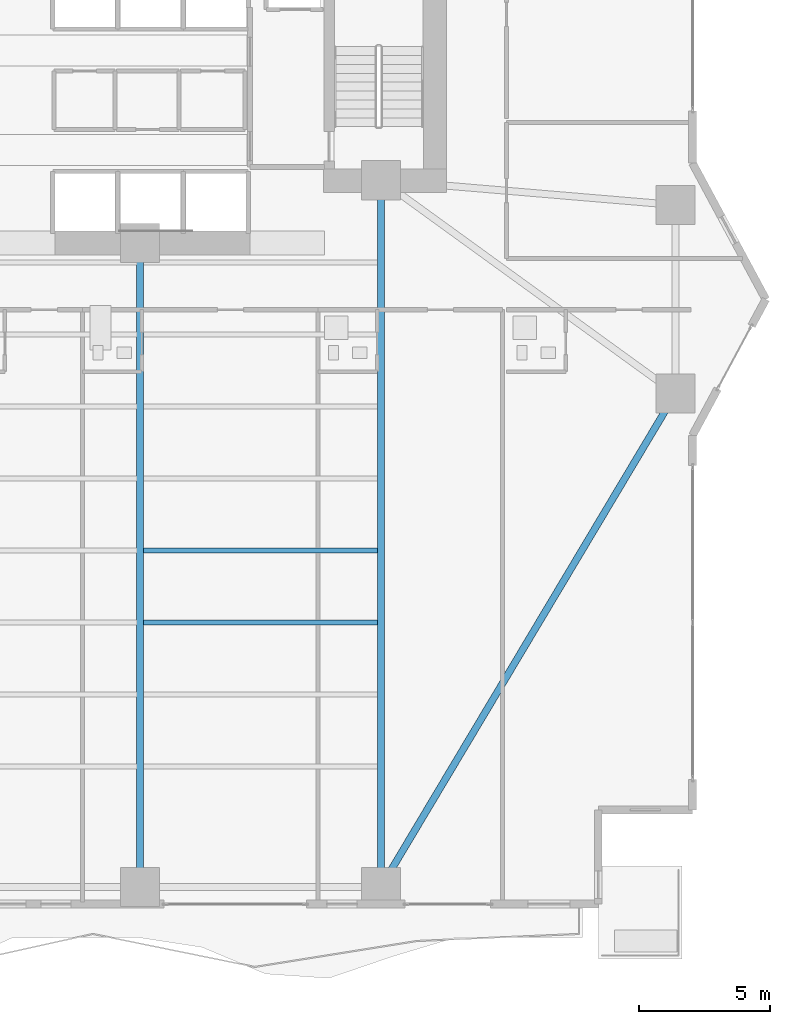
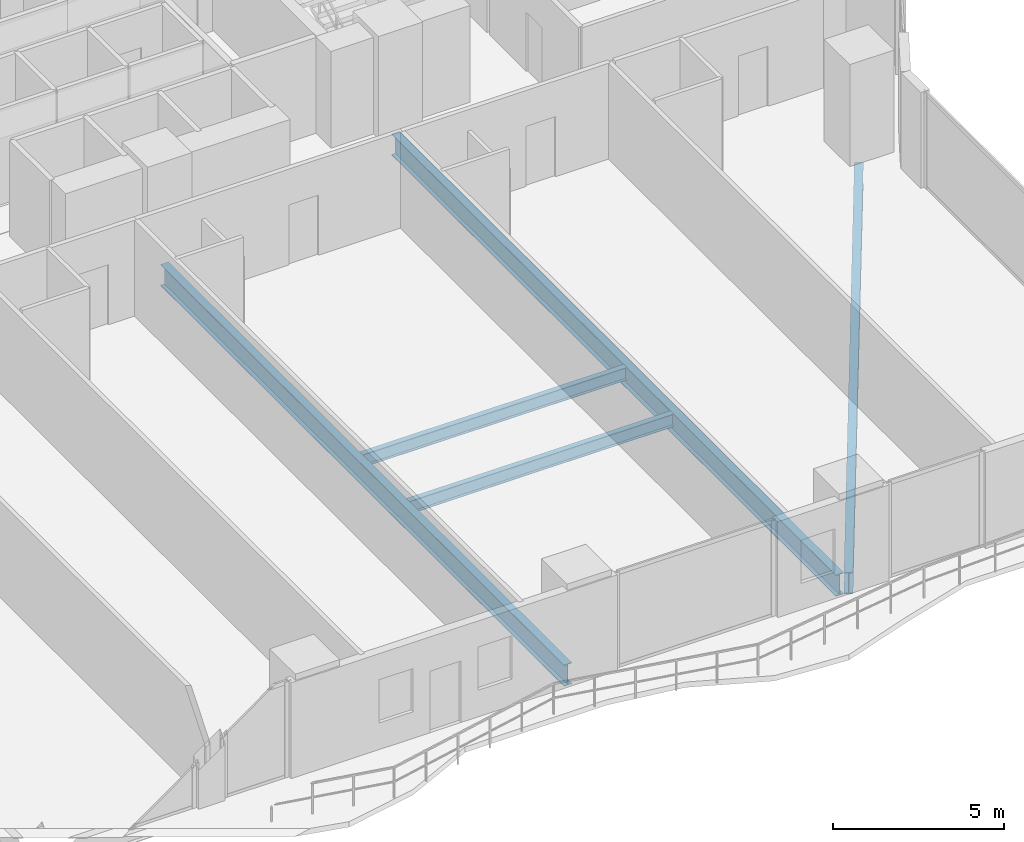
# One storey, part 9 of 29: 5 beams.
"""IFC4 building model written with IfcOpenShell, lengths in metres."""

from ifc_helpers import new_model, si_unit, direction, frame, origin, origin_2d, place, context, subcontext, project, spatial, i_section, extrude, material, material_profile, profile_set, type_object, element, save


model = new_model("IFC4")

# Units and contexts
model_context = context("Model", 3, precision=1e-05, world=origin(), true_north=direction((0.0, 1.0)))
body_context = subcontext(model_context, "Body", "Model", "MODEL_VIEW")
ifc_project = project(units=[si_unit("LENGTHUNIT", "METRE"), si_unit("AREAUNIT", "SQUARE_METRE"), si_unit("VOLUMEUNIT", "CUBIC_METRE"), si_unit("PLANEANGLEUNIT", "RADIAN"), si_unit("MASSUNIT", "GRAM", prefix="KILO")], contexts=[model_context])

# Site, building, storey
site_placement = place(None, origin())
site = spatial("IfcSite", under=ifc_project, at=site_placement, CompositionType="ELEMENT")
building_placement = place(site_placement, origin())
building = spatial("IfcBuilding", under=site, at=building_placement, Name="Zuhayl Quay Hotel", CompositionType="ELEMENT")
storey_placement = place(building_placement, frame((0.0, 0.0, 38.550048828125)))
storey = spatial("IfcBuildingStorey", under=building, at=storey_placement, Name="L08", CompositionType="ELEMENT", Elevation=38.550048828125)

# Beams
ifc_material = material(Name="Steel ASTM A992 Grade 50", Category="steel")
ifc_material_profile_1 = material_profile(ifc_material, i_section(OverallWidth=0.26708984375, OverallDepth=0.761962890625, WebThickness=0.014404296875, FlangeThickness=0.021484375, at=origin_2d()), Name="W30X116")
ifc_profile_set_1 = profile_set([ifc_material_profile_1], Name="Steel ASTM A992 Grade 50")
beam_type_1 = type_object("IfcBeamType", Name="BM_B1_W30X116", PredefinedType="BEAM", material=ifc_profile_set_1)
beam_1_placement = place(storey_placement, frame((14.05615234375, -22.020751953125, -0.60107421875), z_axis=(0.512482593247, 0.85869761361, 0.0), x_axis=(-0.85869761361, 0.512482593247, 0.0)))
element("IfcBeam", 1, at=beam_1_placement, inside=storey, type_object=beam_type_1, Name="L08 Floor Beam RG_L08_04", PredefinedType="BEAM", context=body_context, shape_type="SweptSolid", body=[
    extrude(i_section(OverallWidth=0.26708984375, OverallDepth=0.761962890625, WebThickness=0.014404296875, FlangeThickness=0.021484375, at=origin_2d()), origin(), (0.0, 0.0, 1.0), 20.9521484375),
])
beam_2_placement = place(storey_placement, frame((4.60009765625, -21.949951171875, -0.60107421875), z_axis=(0.0, 1.0, 0.0), x_axis=(-1.0, 0.0, 0.0)))
element("IfcBeam", 2, at=beam_2_placement, inside=storey, type_object=beam_type_1, Name="L08 Floor Beam FG_S_L08_3", PredefinedType="BEAM", context=body_context, shape_type="SweptSolid", body=[
    extrude(i_section(OverallWidth=0.26708984375, OverallDepth=0.761962890625, WebThickness=0.014404296875, FlangeThickness=0.021484375, at=origin_2d()), origin(), (0.0, 0.0, 1.0), 23.64990234375),
])
beam_3_placement = place(storey_placement, frame((13.800048828125, -21.949951171875, -0.60107421875), z_axis=(0.0, 1.0, 0.0), x_axis=(-1.0, 0.0, 0.0)))
element("IfcBeam", 3, at=beam_3_placement, inside=storey, type_object=beam_type_1, Name="L08 Floor Beam FG_S_L08_4", PredefinedType="BEAM", context=body_context, shape_type="SweptSolid", body=[
    extrude(i_section(OverallWidth=0.26708984375, OverallDepth=0.761962890625, WebThickness=0.014404296875, FlangeThickness=0.021484375, at=origin_2d()), origin(), (0.0, 0.0, 1.0), 26.050048828125),
])
ifc_material_profile_2 = material_profile(ifc_material, i_section(OverallWidth=0.18994140625, OverallDepth=0.45703125, WebThickness=0.009033203125, FlangeThickness=0.014404296875, at=origin_2d()), Name="W18X50")
ifc_profile_set_2 = profile_set([ifc_material_profile_2], Name="Steel ASTM A992 Grade 50")
beam_type_2 = type_object("IfcBeamType", Name="BM_J2_W18X50", PredefinedType="JOIST", material=ifc_profile_set_2)
for number, where, z_axis, x_axis, name in (
    (4, (4.7255859375, -12.35009765625, -0.448486328125), (1.0, 0.0, 0.0), (0.0, 1.0, 0.0), "L08 Floor Beam FJ_L08_5_3"),
    (5, (4.7255859375, -9.60009765625, -0.448486328125), (1.0, 0.0, 0.0), (0.0, 1.0, 0.0), "L08 Floor Beam FJ_L08_6_3"),
):
    element("IfcBeam", number, at=place(storey_placement, frame(where, z_axis=z_axis, x_axis=x_axis)), inside=storey, type_object=beam_type_2, Name=name, PredefinedType="JOIST", context=body_context, shape_type="SweptSolid", body=[
        extrude(i_section(OverallWidth=0.18994140625, OverallDepth=0.45703125, WebThickness=0.009033203125, FlangeThickness=0.014404296875, at=origin_2d()), origin(), (0.0, 0.0, 1.0), 8.948974609375),
    ])

save(model, "model.ifc")
